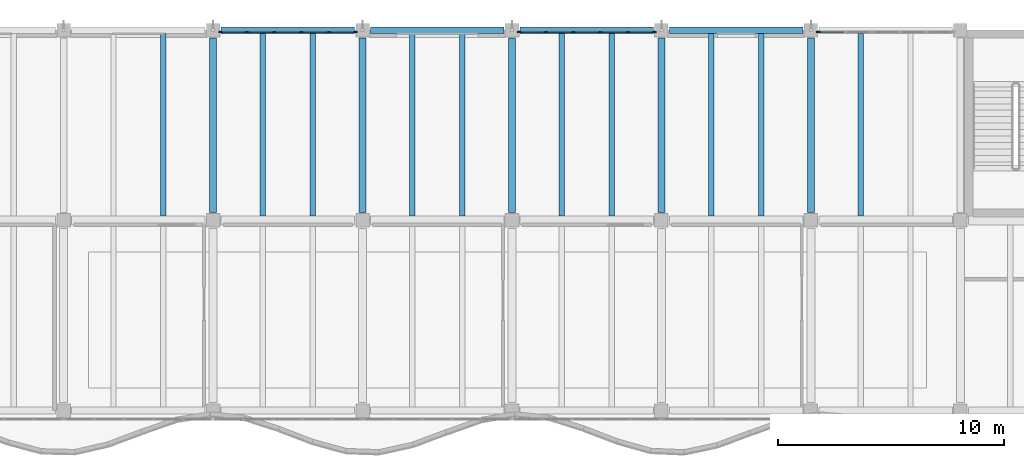
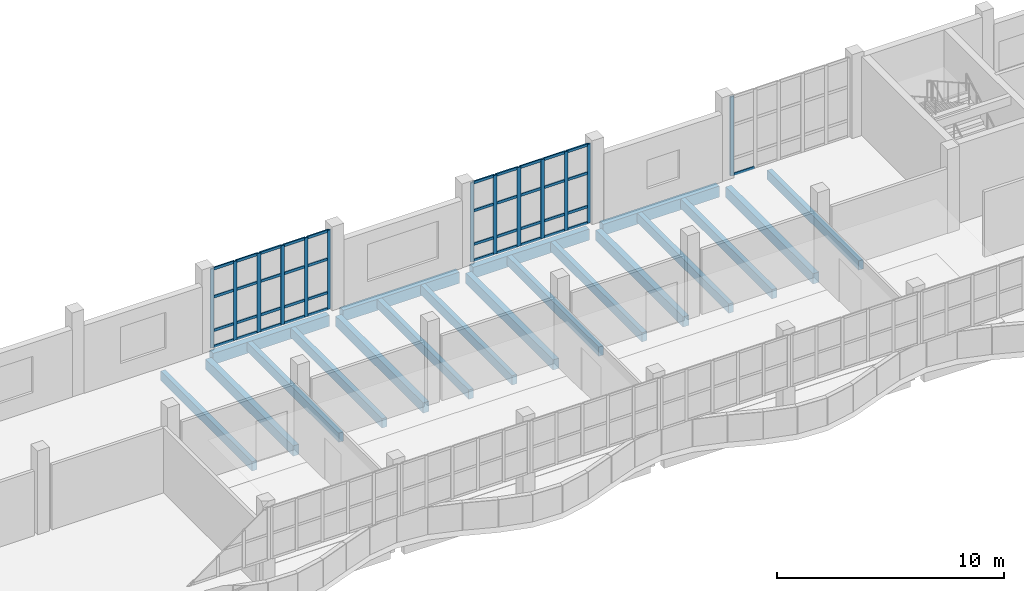
# One storey, part 13 of 76: 54 members, 19 beams, 3 elements without a shape of their own.
"""IFC4 building model written with IfcOpenShell, lengths in metres."""

from ifc_helpers import new_model, si_unit, direction, frame, origin, origin_2d, place, context, subcontext, project, spatial, rectangle, extrude, material, material_profile, profile_set, type_object, element, aggregate, save


model = new_model("IFC4")

# Units and contexts
model_context = context("Model", 3, precision=1e-05, world=origin(), true_north=direction((0.0, 1.0)))
body_context = subcontext(model_context, "Body", "Model", "MODEL_VIEW")
ifc_project = project(units=[si_unit("LENGTHUNIT", "METRE"), si_unit("AREAUNIT", "SQUARE_METRE"), si_unit("VOLUMEUNIT", "CUBIC_METRE"), si_unit("PLANEANGLEUNIT", "RADIAN"), si_unit("MASSUNIT", "GRAM", prefix="KILO")], contexts=[model_context])

# Site, building, storey
site_placement = place(None, origin())
site = spatial("IfcSite", under=ifc_project, at=site_placement, CompositionType="ELEMENT")
building_placement = place(site_placement, origin())
building = spatial("IfcBuilding", under=site, at=building_placement, Name="Qaldarim Faculty of Natural and Applied Sciences", CompositionType="ELEMENT")
storey_placement = place(building_placement, frame((0.0, 0.0, 9.89990234375)))
storey = spatial("IfcBuildingStorey", under=building, at=storey_placement, Name="L02", CompositionType="ELEMENT", Elevation=9.89990234375)

# Beams
ifc_material_1 = material(Name="Concrete C40/50", Category="concrete")
ifc_material_profile_1 = material_profile(ifc_material_1, rectangle(XDim=0.300048828125, YDim=0.550048828125, at=origin_2d()), Name="RC-B300x550")
ifc_profile_set_1 = profile_set([ifc_material_profile_1], Name="Concrete C40/50")
beam_type_1 = type_object("IfcBeamType", Name="FloorBeam-RC300x550", PredefinedType="BEAM", material=ifc_profile_set_1)
for number, where, z_axis, x_axis, name in (
    (1, (66.0, 109.550048828125, -0.574951171875), (0.0, 1.0, 0.0), (-1.0, 0.0, 0.0), "Beam RC-B300x550 L01 X11/Y14-Y15"),
    (2, (72.60009765625, 109.550048828125, -0.574951171875), (0.0, 1.0, 0.0), (-1.0, 0.0, 0.0), "Beam RC-B300x550 L01 X12/Y14-Y15"),
    (3, (79.199951171875, 109.550048828125, -0.574951171875), (0.0, 1.0, 0.0), (-1.0, 0.0, 0.0), "Beam RC-B300x550 L01 X13/Y14-Y15"),
    (4, (85.800048828125, 109.550048828125, -0.574951171875), (0.0, 1.0, 0.0), (-1.0, 0.0, 0.0), "Beam RC-B300x550 L01 X14/Y14-Y15"),
    (5, (92.39990234375, 109.550048828125, -0.574951171875), (0.0, 1.0, 0.0), (-1.0, 0.0, 0.0), "Beam RC-B300x550 L01 X15/Y14-Y15"),
):
    element("IfcBeam", number, at=place(storey_placement, frame(where, z_axis=z_axis, x_axis=x_axis)), inside=storey, type_object=beam_type_1, Name=name, PredefinedType="BEAM", context=body_context, shape_type="SweptSolid", body=[
        extrude(rectangle(XDim=0.300048828125, YDim=0.550048828125, at=origin_2d()), origin(), (0.0, 0.0, 1.0), 7.699951171875),
    ])
ifc_material_profile_2 = material_profile(ifc_material_1, rectangle(XDim=0.239990234375, YDim=0.5, at=origin_2d()), Name="RC-J240x500")
ifc_profile_set_2 = profile_set([ifc_material_profile_2], Name="Concrete C40/50")
beam_type_2 = type_object("IfcBeamType", Name="HeavyJoist-RC240x500", PredefinedType="JOIST", material=ifc_profile_set_2)
for number, where, z_axis, x_axis, name in (
    (6, (63.800048828125, 109.39990234375, -0.5498046875), (0.0, 1.0, 0.0), (-1.0, 0.0, 0.0), "Laboratory joist L01 bay X10Y14-2"),
    (7, (68.199951171875, 109.39990234375, -0.5498046875), (0.0, 1.0, 0.0), (-1.0, 0.0, 0.0), "Laboratory joist L01 bay X11Y14-1"),
    (8, (70.39990234375, 109.39990234375, -0.5498046875), (0.0, 1.0, 0.0), (-1.0, 0.0, 0.0), "Laboratory joist L01 bay X11Y14-2"),
    (9, (74.800048828125, 109.39990234375, -0.5498046875), (0.0, 1.0, 0.0), (-1.0, 0.0, 0.0), "Laboratory joist L01 bay X12Y14-1"),
    (10, (77.0, 109.39990234375, -0.5498046875), (0.0, 1.0, 0.0), (-1.0, 0.0, 0.0), "Laboratory joist L01 bay X12Y14-2"),
    (11, (81.39990234375, 109.39990234375, -0.5498046875), (0.0, 1.0, 0.0), (-1.0, 0.0, 0.0), "Laboratory joist L01 bay X13Y14-1"),
    (12, (83.60009765625, 109.39990234375, -0.5498046875), (0.0, 1.0, 0.0), (-1.0, 0.0, 0.0), "Laboratory joist L01 bay X13Y14-2"),
    (13, (88.0, 109.39990234375, -0.5498046875), (0.0, 1.0, 0.0), (-1.0, 0.0, 0.0), "Laboratory joist L01 bay X14Y14-1"),
    (14, (90.199951171875, 109.39990234375, -0.5498046875), (0.0, 1.0, 0.0), (-1.0, 0.0, 0.0), "Laboratory joist L01 bay X14Y14-2"),
    (15, (94.60009765625, 109.39990234375, -0.5498046875), (0.0, 1.0, 0.0), (-1.0, 0.0, 0.0), "Laboratory joist L01 bay X15Y14-1"),
):
    element("IfcBeam", number, at=place(storey_placement, frame(where, z_axis=z_axis, x_axis=x_axis)), inside=storey, type_object=beam_type_2, Name=name, PredefinedType="JOIST", context=body_context, shape_type="SweptSolid", body=[
        extrude(rectangle(XDim=0.239990234375, YDim=0.5, at=origin_2d()), origin(), (0.0, 0.0, 1.0), 8.050048828125),
    ])

# Curtain wall, members
ifc_material_2 = material(Name="Anodised aluminium AW-6063", Category="aluminium")
curtain_wall_type = type_object("IfcCurtainWallType", Name="CurtainWallSystem-M1200", PredefinedType="USERDEFINED", material=ifc_material_2)
curtain_wall_1_placement = place(storey_placement, origin())
curtain_wall_1 = element("IfcCurtainWall", 16, at=curtain_wall_1_placement, inside=storey, type_object=curtain_wall_type, Name="Curtain wall CW-L02-N-X11Y14", ObjectType="STICK CURTAIN WALL", PredefinedType="USERDEFINED")
ifc_material_profile_3 = material_profile(ifc_material_2, rectangle(XDim=0.070068359375, YDim=0.179931640625, at=origin_2d()), Name="ALU-M70x180")
ifc_profile_set_3 = profile_set([ifc_material_profile_3], Name="Anodised aluminium AW-6063")
member_type_1 = type_object("IfcMemberType", Name="Mullion-ALU70x180", PredefinedType="MULLION", material=ifc_profile_set_3)
member_1_placement = place(storey_placement, frame((72.27001953125, 117.52001953125, 0.0), z_axis=(0.0, 0.0, 1.0), x_axis=(0.0, -1.0, 0.0)))
member_1 = element("IfcMember", 17, at=member_1_placement, type_object=member_type_1, Name="Mullion 1 of CW-L02-N-X11Y14", PredefinedType="MULLION", context=body_context, shape_type="SweptSolid", body=[
    extrude(rectangle(XDim=0.070068359375, YDim=0.179931640625, at=origin_2d()), origin(), (0.0, 0.0, 1.0), 4.239990234375),
])
member_2_placement = place(storey_placement, frame((71.10302734375, 117.52001953125, 0.0), z_axis=(0.0, 0.0, 1.0), x_axis=(0.0, -1.0, 0.0)))
member_2 = element("IfcMember", 18, at=member_2_placement, type_object=member_type_1, Name="Mullion 2 of CW-L02-N-X11Y14", PredefinedType="MULLION", context=body_context, shape_type="SweptSolid", body=[
    extrude(rectangle(XDim=0.070068359375, YDim=0.179931640625, at=origin_2d()), origin(), (0.0, 0.0, 1.0), 4.239990234375),
])
member_3_placement = place(storey_placement, frame((69.90087890625, 117.52001953125, 0.0), z_axis=(0.0, 0.0, 1.0), x_axis=(0.0, -1.0, 0.0)))
member_3 = element("IfcMember", 19, at=member_3_placement, type_object=member_type_1, Name="Mullion 3 of CW-L02-N-X11Y14", PredefinedType="MULLION", context=body_context, shape_type="SweptSolid", body=[
    extrude(rectangle(XDim=0.070068359375, YDim=0.179931640625, at=origin_2d()), origin(), (0.0, 0.0, 1.0), 4.239990234375),
])
member_4_placement = place(storey_placement, frame((68.698974609375, 117.52001953125, 0.0), z_axis=(0.0, 0.0, 1.0), x_axis=(0.0, -1.0, 0.0)))
member_4 = element("IfcMember", 20, at=member_4_placement, type_object=member_type_1, Name="Mullion 4 of CW-L02-N-X11Y14", PredefinedType="MULLION", context=body_context, shape_type="SweptSolid", body=[
    extrude(rectangle(XDim=0.070068359375, YDim=0.179931640625, at=origin_2d()), origin(), (0.0, 0.0, 1.0), 4.239990234375),
])
member_5_placement = place(storey_placement, frame((67.4970703125, 117.52001953125, 0.0), z_axis=(0.0, 0.0, 1.0), x_axis=(0.0, -1.0, 0.0)))
member_5 = element("IfcMember", 21, at=member_5_placement, type_object=member_type_1, Name="Mullion 5 of CW-L02-N-X11Y14", PredefinedType="MULLION", context=body_context, shape_type="SweptSolid", body=[
    extrude(rectangle(XDim=0.070068359375, YDim=0.179931640625, at=origin_2d()), origin(), (0.0, 0.0, 1.0), 4.239990234375),
])
member_6_placement = place(storey_placement, frame((66.330078125, 117.52001953125, 0.0), z_axis=(0.0, 0.0, 1.0), x_axis=(0.0, -1.0, 0.0)))
member_6 = element("IfcMember", 22, at=member_6_placement, type_object=member_type_1, Name="Mullion 6 of CW-L02-N-X11Y14", PredefinedType="MULLION", context=body_context, shape_type="SweptSolid", body=[
    extrude(rectangle(XDim=0.070068359375, YDim=0.179931640625, at=origin_2d()), origin(), (0.0, 0.0, 1.0), 4.239990234375),
])

curtain_wall_2_placement = place(storey_placement, origin())
curtain_wall_2 = element("IfcCurtainWall", 23, at=curtain_wall_2_placement, inside=storey, type_object=curtain_wall_type, Name="Curtain wall CW-L02-N-X13Y14", ObjectType="STICK CURTAIN WALL", PredefinedType="USERDEFINED")
member_7_placement = place(storey_placement, frame((85.469970703125, 117.52001953125, 0.0), z_axis=(0.0, 0.0, 1.0), x_axis=(0.0, -1.0, 0.0)))
member_7 = element("IfcMember", 24, at=member_7_placement, type_object=member_type_1, Name="Mullion 1 of CW-L02-N-X13Y14", PredefinedType="MULLION", context=body_context, shape_type="SweptSolid", body=[
    extrude(rectangle(XDim=0.070068359375, YDim=0.179931640625, at=origin_2d()), origin(), (0.0, 0.0, 1.0), 4.239990234375),
])
member_8_placement = place(storey_placement, frame((84.302978515625, 117.52001953125, 0.0), z_axis=(0.0, 0.0, 1.0), x_axis=(0.0, -1.0, 0.0)))
member_8 = element("IfcMember", 25, at=member_8_placement, type_object=member_type_1, Name="Mullion 2 of CW-L02-N-X13Y14", PredefinedType="MULLION", context=body_context, shape_type="SweptSolid", body=[
    extrude(rectangle(XDim=0.070068359375, YDim=0.179931640625, at=origin_2d()), origin(), (0.0, 0.0, 1.0), 4.239990234375),
])
member_9_placement = place(storey_placement, frame((83.10107421875, 117.52001953125, 0.0), z_axis=(0.0, 0.0, 1.0), x_axis=(0.0, -1.0, 0.0)))
member_9 = element("IfcMember", 26, at=member_9_placement, type_object=member_type_1, Name="Mullion 3 of CW-L02-N-X13Y14", PredefinedType="MULLION", context=body_context, shape_type="SweptSolid", body=[
    extrude(rectangle(XDim=0.070068359375, YDim=0.179931640625, at=origin_2d()), origin(), (0.0, 0.0, 1.0), 4.239990234375),
])
member_10_placement = place(storey_placement, frame((81.89892578125, 117.52001953125, 0.0), z_axis=(0.0, 0.0, 1.0), x_axis=(0.0, -1.0, 0.0)))
member_10 = element("IfcMember", 27, at=member_10_placement, type_object=member_type_1, Name="Mullion 4 of CW-L02-N-X13Y14", PredefinedType="MULLION", context=body_context, shape_type="SweptSolid", body=[
    extrude(rectangle(XDim=0.070068359375, YDim=0.179931640625, at=origin_2d()), origin(), (0.0, 0.0, 1.0), 4.239990234375),
])
member_11_placement = place(storey_placement, frame((80.697021484375, 117.52001953125, 0.0), z_axis=(0.0, 0.0, 1.0), x_axis=(0.0, -1.0, 0.0)))
member_11 = element("IfcMember", 28, at=member_11_placement, type_object=member_type_1, Name="Mullion 5 of CW-L02-N-X13Y14", PredefinedType="MULLION", context=body_context, shape_type="SweptSolid", body=[
    extrude(rectangle(XDim=0.070068359375, YDim=0.179931640625, at=origin_2d()), origin(), (0.0, 0.0, 1.0), 4.239990234375),
])
member_12_placement = place(storey_placement, frame((79.530029296875, 117.52001953125, 0.0), z_axis=(0.0, 0.0, 1.0), x_axis=(0.0, -1.0, 0.0)))
member_12 = element("IfcMember", 29, at=member_12_placement, type_object=member_type_1, Name="Mullion 6 of CW-L02-N-X13Y14", PredefinedType="MULLION", context=body_context, shape_type="SweptSolid", body=[
    extrude(rectangle(XDim=0.070068359375, YDim=0.179931640625, at=origin_2d()), origin(), (0.0, 0.0, 1.0), 4.239990234375),
])

# Curtain wall, member
curtain_wall_3_placement = place(storey_placement, origin())
curtain_wall_3 = element("IfcCurtainWall", 30, at=curtain_wall_3_placement, inside=storey, type_object=curtain_wall_type, Name="Curtain wall CW-L02-N-X15Y14", ObjectType="STICK CURTAIN WALL", PredefinedType="USERDEFINED")
member_13_placement = place(storey_placement, frame((92.72998046875, 117.52001953125, 0.0), z_axis=(0.0, 0.0, 1.0), x_axis=(0.0, -1.0, 0.0)))
member_13 = element("IfcMember", 31, at=member_13_placement, type_object=member_type_1, Name="Mullion 6 of CW-L02-N-X15Y14", PredefinedType="MULLION", context=body_context, shape_type="SweptSolid", body=[
    extrude(rectangle(XDim=0.070068359375, YDim=0.179931640625, at=origin_2d()), origin(), (0.0, 0.0, 1.0), 4.239990234375),
])

# Beams
ifc_material_3 = material(Name="Precast concrete C40/50", Category="concrete")
ifc_material_profile_4 = material_profile(ifc_material_3, rectangle(XDim=0.300048828125, YDim=0.60009765625, at=origin_2d()), Name="RC-SP300x600")
ifc_profile_set_4 = profile_set([ifc_material_profile_4], Name="Precast concrete C40/50")
beam_type_3 = type_object("IfcBeamType", Name="SpandrelBeam-RC300x600", PredefinedType="SPANDREL", material=ifc_profile_set_4)
beam_1_placement = place(storey_placement, frame((66.35009765625, 117.60009765625, -0.599853515625), z_axis=(1.0, 0.0, 0.0), x_axis=(0.0, 1.0, 0.0)))
element("IfcBeam", 32, at=beam_1_placement, inside=storey, type_object=beam_type_3, Name="Beam RC-SP300x600 L01 X11-X12/Y15", PredefinedType="SPANDREL", context=body_context, shape_type="SweptSolid", body=[
    extrude(rectangle(XDim=0.300048828125, YDim=0.60009765625, at=origin_2d()), origin(), (0.0, 0.0, 1.0), 5.89990234375),
])
beam_2_placement = place(storey_placement, frame((72.949951171875, 117.60009765625, -0.599853515625), z_axis=(1.0, 0.0, 0.0), x_axis=(0.0, 1.0, 0.0)))
element("IfcBeam", 33, at=beam_2_placement, inside=storey, type_object=beam_type_3, Name="Beam RC-SP300x600 L01 X12-X13/Y15", PredefinedType="SPANDREL", context=body_context, shape_type="SweptSolid", body=[
    extrude(rectangle(XDim=0.300048828125, YDim=0.60009765625, at=origin_2d()), origin(), (0.0, 0.0, 1.0), 5.900146484375),
])
beam_3_placement = place(storey_placement, frame((79.550048828125, 117.60009765625, -0.599853515625), z_axis=(1.0, 0.0, 0.0), x_axis=(0.0, 1.0, 0.0)))
element("IfcBeam", 34, at=beam_3_placement, inside=storey, type_object=beam_type_3, Name="Beam RC-SP300x600 L01 X13-X14/Y15", PredefinedType="SPANDREL", context=body_context, shape_type="SweptSolid", body=[
    extrude(rectangle(XDim=0.300048828125, YDim=0.60009765625, at=origin_2d()), origin(), (0.0, 0.0, 1.0), 5.89990234375),
])
beam_4_placement = place(storey_placement, frame((86.14990234375, 117.60009765625, -0.599853515625), z_axis=(1.0, 0.0, 0.0), x_axis=(0.0, 1.0, 0.0)))
element("IfcBeam", 35, at=beam_4_placement, inside=storey, type_object=beam_type_3, Name="Beam RC-SP300x600 L01 X14-X15/Y15", PredefinedType="SPANDREL", context=body_context, shape_type="SweptSolid", body=[
    extrude(rectangle(XDim=0.300048828125, YDim=0.60009765625, at=origin_2d()), origin(), (0.0, 0.0, 1.0), 5.900146484375),
])

# Member
ifc_material_profile_5 = material_profile(ifc_material_2, rectangle(XDim=0.070068359375, YDim=0.139892578125, at=origin_2d()), Name="ALU-T70x140")
ifc_profile_set_5 = profile_set([ifc_material_profile_5], Name="Anodised aluminium AW-6063")
member_type_2 = type_object("IfcMemberType", Name="Transom-ALU70x140", PredefinedType="USERDEFINED", material=ifc_profile_set_5)
member_14_placement = place(storey_placement, frame((72.235107421875, 117.52001953125, 0.03515625), z_axis=(-1.0, 0.0, 0.0), x_axis=(0.0, -1.0, 0.0)))
member_14 = element("IfcMember", 36, at=member_14_placement, type_object=member_type_2, Name="Transom 1-1 of CW-L02-N-X11Y14", ObjectType="TRANSOM", PredefinedType="USERDEFINED", context=body_context, shape_type="SweptSolid", body=[
    extrude(rectangle(XDim=0.070068359375, YDim=0.139892578125, at=origin_2d()), origin(), (0.0, 0.0, 1.0), 1.09716796875),
])

member_15_placement = place(storey_placement, frame((72.235107421875, 117.52001953125, 0.900146484375), z_axis=(-1.0, 0.0, 0.0), x_axis=(0.0, -1.0, 0.0)))
member_15 = element("IfcMember", 37, at=member_15_placement, type_object=member_type_2, Name="Transom 1-2 of CW-L02-N-X11Y14", ObjectType="TRANSOM", PredefinedType="USERDEFINED", context=body_context, shape_type="SweptSolid", body=[
    extrude(rectangle(XDim=0.070068359375, YDim=0.139892578125, at=origin_2d()), origin(), (0.0, 0.0, 1.0), 1.09716796875),
])

member_16_placement = place(storey_placement, frame((72.235107421875, 117.52001953125, 2.7001953125), z_axis=(-1.0, 0.0, 0.0), x_axis=(0.0, -1.0, 0.0)))
member_16 = element("IfcMember", 38, at=member_16_placement, type_object=member_type_2, Name="Transom 1-3 of CW-L02-N-X11Y14", ObjectType="TRANSOM", PredefinedType="USERDEFINED", context=body_context, shape_type="SweptSolid", body=[
    extrude(rectangle(XDim=0.070068359375, YDim=0.139892578125, at=origin_2d()), origin(), (0.0, 0.0, 1.0), 1.09716796875),
])

member_17_placement = place(storey_placement, frame((72.235107421875, 117.52001953125, 4.205078125), z_axis=(-1.0, 0.0, 0.0), x_axis=(0.0, -1.0, 0.0)))
member_17 = element("IfcMember", 39, at=member_17_placement, type_object=member_type_2, Name="Transom 1-4 of CW-L02-N-X11Y14", ObjectType="TRANSOM", PredefinedType="USERDEFINED", context=body_context, shape_type="SweptSolid", body=[
    extrude(rectangle(XDim=0.070068359375, YDim=0.139892578125, at=origin_2d()), origin(), (0.0, 0.0, 1.0), 1.09716796875),
])

member_18_placement = place(storey_placement, frame((71.068115234375, 117.52001953125, 0.03515625), z_axis=(-1.0, 0.0, 0.0), x_axis=(0.0, -1.0, 0.0)))
member_18 = element("IfcMember", 40, at=member_18_placement, type_object=member_type_2, Name="Transom 2-1 of CW-L02-N-X11Y14", ObjectType="TRANSOM", PredefinedType="USERDEFINED", context=body_context, shape_type="SweptSolid", body=[
    extrude(rectangle(XDim=0.070068359375, YDim=0.139892578125, at=origin_2d()), origin(), (0.0, 0.0, 1.0), 1.132080078125),
])

member_19_placement = place(storey_placement, frame((71.068115234375, 117.52001953125, 0.900146484375), z_axis=(-1.0, 0.0, 0.0), x_axis=(0.0, -1.0, 0.0)))
member_19 = element("IfcMember", 41, at=member_19_placement, type_object=member_type_2, Name="Transom 2-2 of CW-L02-N-X11Y14", ObjectType="TRANSOM", PredefinedType="USERDEFINED", context=body_context, shape_type="SweptSolid", body=[
    extrude(rectangle(XDim=0.070068359375, YDim=0.139892578125, at=origin_2d()), origin(), (0.0, 0.0, 1.0), 1.132080078125),
])

member_20_placement = place(storey_placement, frame((71.068115234375, 117.52001953125, 2.7001953125), z_axis=(-1.0, 0.0, 0.0), x_axis=(0.0, -1.0, 0.0)))
member_20 = element("IfcMember", 42, at=member_20_placement, type_object=member_type_2, Name="Transom 2-3 of CW-L02-N-X11Y14", ObjectType="TRANSOM", PredefinedType="USERDEFINED", context=body_context, shape_type="SweptSolid", body=[
    extrude(rectangle(XDim=0.070068359375, YDim=0.139892578125, at=origin_2d()), origin(), (0.0, 0.0, 1.0), 1.132080078125),
])

member_21_placement = place(storey_placement, frame((71.068115234375, 117.52001953125, 4.205078125), z_axis=(-1.0, 0.0, 0.0), x_axis=(0.0, -1.0, 0.0)))
member_21 = element("IfcMember", 43, at=member_21_placement, type_object=member_type_2, Name="Transom 2-4 of CW-L02-N-X11Y14", ObjectType="TRANSOM", PredefinedType="USERDEFINED", context=body_context, shape_type="SweptSolid", body=[
    extrude(rectangle(XDim=0.070068359375, YDim=0.139892578125, at=origin_2d()), origin(), (0.0, 0.0, 1.0), 1.132080078125),
])

member_22_placement = place(storey_placement, frame((69.865966796875, 117.52001953125, 0.03515625), z_axis=(-1.0, 0.0, 0.0), x_axis=(0.0, -1.0, 0.0)))
member_22 = element("IfcMember", 44, at=member_22_placement, type_object=member_type_2, Name="Transom 3-1 of CW-L02-N-X11Y14", ObjectType="TRANSOM", PredefinedType="USERDEFINED", context=body_context, shape_type="SweptSolid", body=[
    extrude(rectangle(XDim=0.070068359375, YDim=0.139892578125, at=origin_2d()), origin(), (0.0, 0.0, 1.0), 1.132080078125),
])

member_23_placement = place(storey_placement, frame((69.865966796875, 117.52001953125, 0.900146484375), z_axis=(-1.0, 0.0, 0.0), x_axis=(0.0, -1.0, 0.0)))
member_23 = element("IfcMember", 45, at=member_23_placement, type_object=member_type_2, Name="Transom 3-2 of CW-L02-N-X11Y14", ObjectType="TRANSOM", PredefinedType="USERDEFINED", context=body_context, shape_type="SweptSolid", body=[
    extrude(rectangle(XDim=0.070068359375, YDim=0.139892578125, at=origin_2d()), origin(), (0.0, 0.0, 1.0), 1.132080078125),
])

member_24_placement = place(storey_placement, frame((69.865966796875, 117.52001953125, 2.7001953125), z_axis=(-1.0, 0.0, 0.0), x_axis=(0.0, -1.0, 0.0)))
member_24 = element("IfcMember", 46, at=member_24_placement, type_object=member_type_2, Name="Transom 3-3 of CW-L02-N-X11Y14", ObjectType="TRANSOM", PredefinedType="USERDEFINED", context=body_context, shape_type="SweptSolid", body=[
    extrude(rectangle(XDim=0.070068359375, YDim=0.139892578125, at=origin_2d()), origin(), (0.0, 0.0, 1.0), 1.132080078125),
])

member_25_placement = place(storey_placement, frame((69.865966796875, 117.52001953125, 4.205078125), z_axis=(-1.0, 0.0, 0.0), x_axis=(0.0, -1.0, 0.0)))
member_25 = element("IfcMember", 47, at=member_25_placement, type_object=member_type_2, Name="Transom 3-4 of CW-L02-N-X11Y14", ObjectType="TRANSOM", PredefinedType="USERDEFINED", context=body_context, shape_type="SweptSolid", body=[
    extrude(rectangle(XDim=0.070068359375, YDim=0.139892578125, at=origin_2d()), origin(), (0.0, 0.0, 1.0), 1.132080078125),
])

member_26_placement = place(storey_placement, frame((68.6640625, 117.52001953125, 0.03515625), z_axis=(-1.0, 0.0, 0.0), x_axis=(0.0, -1.0, 0.0)))
member_26 = element("IfcMember", 48, at=member_26_placement, type_object=member_type_2, Name="Transom 4-1 of CW-L02-N-X11Y14", ObjectType="TRANSOM", PredefinedType="USERDEFINED", context=body_context, shape_type="SweptSolid", body=[
    extrude(rectangle(XDim=0.070068359375, YDim=0.139892578125, at=origin_2d()), origin(), (0.0, 0.0, 1.0), 1.132080078125),
])

member_27_placement = place(storey_placement, frame((68.6640625, 117.52001953125, 0.900146484375), z_axis=(-1.0, 0.0, 0.0), x_axis=(0.0, -1.0, 0.0)))
member_27 = element("IfcMember", 49, at=member_27_placement, type_object=member_type_2, Name="Transom 4-2 of CW-L02-N-X11Y14", ObjectType="TRANSOM", PredefinedType="USERDEFINED", context=body_context, shape_type="SweptSolid", body=[
    extrude(rectangle(XDim=0.070068359375, YDim=0.139892578125, at=origin_2d()), origin(), (0.0, 0.0, 1.0), 1.132080078125),
])

member_28_placement = place(storey_placement, frame((68.6640625, 117.52001953125, 2.7001953125), z_axis=(-1.0, 0.0, 0.0), x_axis=(0.0, -1.0, 0.0)))
member_28 = element("IfcMember", 50, at=member_28_placement, type_object=member_type_2, Name="Transom 4-3 of CW-L02-N-X11Y14", ObjectType="TRANSOM", PredefinedType="USERDEFINED", context=body_context, shape_type="SweptSolid", body=[
    extrude(rectangle(XDim=0.070068359375, YDim=0.139892578125, at=origin_2d()), origin(), (0.0, 0.0, 1.0), 1.132080078125),
])

member_29_placement = place(storey_placement, frame((68.6640625, 117.52001953125, 4.205078125), z_axis=(-1.0, 0.0, 0.0), x_axis=(0.0, -1.0, 0.0)))
member_29 = element("IfcMember", 51, at=member_29_placement, type_object=member_type_2, Name="Transom 4-4 of CW-L02-N-X11Y14", ObjectType="TRANSOM", PredefinedType="USERDEFINED", context=body_context, shape_type="SweptSolid", body=[
    extrude(rectangle(XDim=0.070068359375, YDim=0.139892578125, at=origin_2d()), origin(), (0.0, 0.0, 1.0), 1.132080078125),
])

member_30_placement = place(storey_placement, frame((67.4619140625, 117.52001953125, 0.03515625), z_axis=(-1.0, 0.0, 0.0), x_axis=(0.0, -1.0, 0.0)))
member_30 = element("IfcMember", 52, at=member_30_placement, type_object=member_type_2, Name="Transom 5-1 of CW-L02-N-X11Y14", ObjectType="TRANSOM", PredefinedType="USERDEFINED", context=body_context, shape_type="SweptSolid", body=[
    extrude(rectangle(XDim=0.070068359375, YDim=0.139892578125, at=origin_2d()), origin(), (0.0, 0.0, 1.0), 1.096923828125),
])

member_31_placement = place(storey_placement, frame((67.4619140625, 117.52001953125, 0.900146484375), z_axis=(-1.0, 0.0, 0.0), x_axis=(0.0, -1.0, 0.0)))
member_31 = element("IfcMember", 53, at=member_31_placement, type_object=member_type_2, Name="Transom 5-2 of CW-L02-N-X11Y14", ObjectType="TRANSOM", PredefinedType="USERDEFINED", context=body_context, shape_type="SweptSolid", body=[
    extrude(rectangle(XDim=0.070068359375, YDim=0.139892578125, at=origin_2d()), origin(), (0.0, 0.0, 1.0), 1.096923828125),
])

member_32_placement = place(storey_placement, frame((67.4619140625, 117.52001953125, 2.7001953125), z_axis=(-1.0, 0.0, 0.0), x_axis=(0.0, -1.0, 0.0)))
member_32 = element("IfcMember", 54, at=member_32_placement, type_object=member_type_2, Name="Transom 5-3 of CW-L02-N-X11Y14", ObjectType="TRANSOM", PredefinedType="USERDEFINED", context=body_context, shape_type="SweptSolid", body=[
    extrude(rectangle(XDim=0.070068359375, YDim=0.139892578125, at=origin_2d()), origin(), (0.0, 0.0, 1.0), 1.096923828125),
])

member_33_placement = place(storey_placement, frame((67.4619140625, 117.52001953125, 4.205078125), z_axis=(-1.0, 0.0, 0.0), x_axis=(0.0, -1.0, 0.0)))
member_33 = element("IfcMember", 55, at=member_33_placement, type_object=member_type_2, Name="Transom 5-4 of CW-L02-N-X11Y14", ObjectType="TRANSOM", PredefinedType="USERDEFINED", context=body_context, shape_type="SweptSolid", body=[
    extrude(rectangle(XDim=0.070068359375, YDim=0.139892578125, at=origin_2d()), origin(), (0.0, 0.0, 1.0), 1.096923828125),
])

aggregate(curtain_wall_1, [member_1, member_2, member_3, member_4, member_5, member_6, member_14, member_15, member_16, member_17, member_18, member_19, member_20, member_21, member_22, member_23, member_24, member_25, member_26, member_27, member_28, member_29, member_30, member_31, member_32, member_33])

member_34_placement = place(storey_placement, frame((85.43505859375, 117.52001953125, 0.03515625), z_axis=(-1.0, 0.0, 0.0), x_axis=(0.0, -1.0, 0.0)))
member_34 = element("IfcMember", 56, at=member_34_placement, type_object=member_type_2, Name="Transom 1-1 of CW-L02-N-X13Y14", ObjectType="TRANSOM", PredefinedType="USERDEFINED", context=body_context, shape_type="SweptSolid", body=[
    extrude(rectangle(XDim=0.070068359375, YDim=0.139892578125, at=origin_2d()), origin(), (0.0, 0.0, 1.0), 1.09716796875),
])

member_35_placement = place(storey_placement, frame((85.43505859375, 117.52001953125, 0.900146484375), z_axis=(-1.0, 0.0, 0.0), x_axis=(0.0, -1.0, 0.0)))
member_35 = element("IfcMember", 57, at=member_35_placement, type_object=member_type_2, Name="Transom 1-2 of CW-L02-N-X13Y14", ObjectType="TRANSOM", PredefinedType="USERDEFINED", context=body_context, shape_type="SweptSolid", body=[
    extrude(rectangle(XDim=0.070068359375, YDim=0.139892578125, at=origin_2d()), origin(), (0.0, 0.0, 1.0), 1.09716796875),
])

member_36_placement = place(storey_placement, frame((85.43505859375, 117.52001953125, 2.7001953125), z_axis=(-1.0, 0.0, 0.0), x_axis=(0.0, -1.0, 0.0)))
member_36 = element("IfcMember", 58, at=member_36_placement, type_object=member_type_2, Name="Transom 1-3 of CW-L02-N-X13Y14", ObjectType="TRANSOM", PredefinedType="USERDEFINED", context=body_context, shape_type="SweptSolid", body=[
    extrude(rectangle(XDim=0.070068359375, YDim=0.139892578125, at=origin_2d()), origin(), (0.0, 0.0, 1.0), 1.09716796875),
])

member_37_placement = place(storey_placement, frame((85.43505859375, 117.52001953125, 4.205078125), z_axis=(-1.0, 0.0, 0.0), x_axis=(0.0, -1.0, 0.0)))
member_37 = element("IfcMember", 59, at=member_37_placement, type_object=member_type_2, Name="Transom 1-4 of CW-L02-N-X13Y14", ObjectType="TRANSOM", PredefinedType="USERDEFINED", context=body_context, shape_type="SweptSolid", body=[
    extrude(rectangle(XDim=0.070068359375, YDim=0.139892578125, at=origin_2d()), origin(), (0.0, 0.0, 1.0), 1.09716796875),
])

member_38_placement = place(storey_placement, frame((84.26806640625, 117.52001953125, 0.03515625), z_axis=(-1.0, 0.0, 0.0), x_axis=(0.0, -1.0, 0.0)))
member_38 = element("IfcMember", 60, at=member_38_placement, type_object=member_type_2, Name="Transom 2-1 of CW-L02-N-X13Y14", ObjectType="TRANSOM", PredefinedType="USERDEFINED", context=body_context, shape_type="SweptSolid", body=[
    extrude(rectangle(XDim=0.070068359375, YDim=0.139892578125, at=origin_2d()), origin(), (0.0, 0.0, 1.0), 1.132080078125),
])

member_39_placement = place(storey_placement, frame((84.26806640625, 117.52001953125, 0.900146484375), z_axis=(-1.0, 0.0, 0.0), x_axis=(0.0, -1.0, 0.0)))
member_39 = element("IfcMember", 61, at=member_39_placement, type_object=member_type_2, Name="Transom 2-2 of CW-L02-N-X13Y14", ObjectType="TRANSOM", PredefinedType="USERDEFINED", context=body_context, shape_type="SweptSolid", body=[
    extrude(rectangle(XDim=0.070068359375, YDim=0.139892578125, at=origin_2d()), origin(), (0.0, 0.0, 1.0), 1.132080078125),
])

member_40_placement = place(storey_placement, frame((84.26806640625, 117.52001953125, 2.7001953125), z_axis=(-1.0, 0.0, 0.0), x_axis=(0.0, -1.0, 0.0)))
member_40 = element("IfcMember", 62, at=member_40_placement, type_object=member_type_2, Name="Transom 2-3 of CW-L02-N-X13Y14", ObjectType="TRANSOM", PredefinedType="USERDEFINED", context=body_context, shape_type="SweptSolid", body=[
    extrude(rectangle(XDim=0.070068359375, YDim=0.139892578125, at=origin_2d()), origin(), (0.0, 0.0, 1.0), 1.132080078125),
])

member_41_placement = place(storey_placement, frame((84.26806640625, 117.52001953125, 4.205078125), z_axis=(-1.0, 0.0, 0.0), x_axis=(0.0, -1.0, 0.0)))
member_41 = element("IfcMember", 63, at=member_41_placement, type_object=member_type_2, Name="Transom 2-4 of CW-L02-N-X13Y14", ObjectType="TRANSOM", PredefinedType="USERDEFINED", context=body_context, shape_type="SweptSolid", body=[
    extrude(rectangle(XDim=0.070068359375, YDim=0.139892578125, at=origin_2d()), origin(), (0.0, 0.0, 1.0), 1.132080078125),
])

member_42_placement = place(storey_placement, frame((83.06591796875, 117.52001953125, 0.03515625), z_axis=(-1.0, 0.0, 0.0), x_axis=(0.0, -1.0, 0.0)))
member_42 = element("IfcMember", 64, at=member_42_placement, type_object=member_type_2, Name="Transom 3-1 of CW-L02-N-X13Y14", ObjectType="TRANSOM", PredefinedType="USERDEFINED", context=body_context, shape_type="SweptSolid", body=[
    extrude(rectangle(XDim=0.070068359375, YDim=0.139892578125, at=origin_2d()), origin(), (0.0, 0.0, 1.0), 1.1318359375),
])

member_43_placement = place(storey_placement, frame((83.06591796875, 117.52001953125, 0.900146484375), z_axis=(-1.0, 0.0, 0.0), x_axis=(0.0, -1.0, 0.0)))
member_43 = element("IfcMember", 65, at=member_43_placement, type_object=member_type_2, Name="Transom 3-2 of CW-L02-N-X13Y14", ObjectType="TRANSOM", PredefinedType="USERDEFINED", context=body_context, shape_type="SweptSolid", body=[
    extrude(rectangle(XDim=0.070068359375, YDim=0.139892578125, at=origin_2d()), origin(), (0.0, 0.0, 1.0), 1.1318359375),
])

member_44_placement = place(storey_placement, frame((83.06591796875, 117.52001953125, 2.7001953125), z_axis=(-1.0, 0.0, 0.0), x_axis=(0.0, -1.0, 0.0)))
member_44 = element("IfcMember", 66, at=member_44_placement, type_object=member_type_2, Name="Transom 3-3 of CW-L02-N-X13Y14", ObjectType="TRANSOM", PredefinedType="USERDEFINED", context=body_context, shape_type="SweptSolid", body=[
    extrude(rectangle(XDim=0.070068359375, YDim=0.139892578125, at=origin_2d()), origin(), (0.0, 0.0, 1.0), 1.1318359375),
])

member_45_placement = place(storey_placement, frame((83.06591796875, 117.52001953125, 4.205078125), z_axis=(-1.0, 0.0, 0.0), x_axis=(0.0, -1.0, 0.0)))
member_45 = element("IfcMember", 67, at=member_45_placement, type_object=member_type_2, Name="Transom 3-4 of CW-L02-N-X13Y14", ObjectType="TRANSOM", PredefinedType="USERDEFINED", context=body_context, shape_type="SweptSolid", body=[
    extrude(rectangle(XDim=0.070068359375, YDim=0.139892578125, at=origin_2d()), origin(), (0.0, 0.0, 1.0), 1.1318359375),
])

member_46_placement = place(storey_placement, frame((81.864013671875, 117.52001953125, 0.03515625), z_axis=(-1.0, 0.0, 0.0), x_axis=(0.0, -1.0, 0.0)))
member_46 = element("IfcMember", 68, at=member_46_placement, type_object=member_type_2, Name="Transom 4-1 of CW-L02-N-X13Y14", ObjectType="TRANSOM", PredefinedType="USERDEFINED", context=body_context, shape_type="SweptSolid", body=[
    extrude(rectangle(XDim=0.070068359375, YDim=0.139892578125, at=origin_2d()), origin(), (0.0, 0.0, 1.0), 1.132080078125),
])

member_47_placement = place(storey_placement, frame((81.864013671875, 117.52001953125, 0.900146484375), z_axis=(-1.0, 0.0, 0.0), x_axis=(0.0, -1.0, 0.0)))
member_47 = element("IfcMember", 69, at=member_47_placement, type_object=member_type_2, Name="Transom 4-2 of CW-L02-N-X13Y14", ObjectType="TRANSOM", PredefinedType="USERDEFINED", context=body_context, shape_type="SweptSolid", body=[
    extrude(rectangle(XDim=0.070068359375, YDim=0.139892578125, at=origin_2d()), origin(), (0.0, 0.0, 1.0), 1.132080078125),
])

member_48_placement = place(storey_placement, frame((81.864013671875, 117.52001953125, 2.7001953125), z_axis=(-1.0, 0.0, 0.0), x_axis=(0.0, -1.0, 0.0)))
member_48 = element("IfcMember", 70, at=member_48_placement, type_object=member_type_2, Name="Transom 4-3 of CW-L02-N-X13Y14", ObjectType="TRANSOM", PredefinedType="USERDEFINED", context=body_context, shape_type="SweptSolid", body=[
    extrude(rectangle(XDim=0.070068359375, YDim=0.139892578125, at=origin_2d()), origin(), (0.0, 0.0, 1.0), 1.132080078125),
])

member_49_placement = place(storey_placement, frame((81.864013671875, 117.52001953125, 4.205078125), z_axis=(-1.0, 0.0, 0.0), x_axis=(0.0, -1.0, 0.0)))
member_49 = element("IfcMember", 71, at=member_49_placement, type_object=member_type_2, Name="Transom 4-4 of CW-L02-N-X13Y14", ObjectType="TRANSOM", PredefinedType="USERDEFINED", context=body_context, shape_type="SweptSolid", body=[
    extrude(rectangle(XDim=0.070068359375, YDim=0.139892578125, at=origin_2d()), origin(), (0.0, 0.0, 1.0), 1.132080078125),
])

member_50_placement = place(storey_placement, frame((80.662109375, 117.52001953125, 0.03515625), z_axis=(-1.0, 0.0, 0.0), x_axis=(0.0, -1.0, 0.0)))
member_50 = element("IfcMember", 72, at=member_50_placement, type_object=member_type_2, Name="Transom 5-1 of CW-L02-N-X13Y14", ObjectType="TRANSOM", PredefinedType="USERDEFINED", context=body_context, shape_type="SweptSolid", body=[
    extrude(rectangle(XDim=0.070068359375, YDim=0.139892578125, at=origin_2d()), origin(), (0.0, 0.0, 1.0), 1.09716796875),
])

member_51_placement = place(storey_placement, frame((80.662109375, 117.52001953125, 0.900146484375), z_axis=(-1.0, 0.0, 0.0), x_axis=(0.0, -1.0, 0.0)))
member_51 = element("IfcMember", 73, at=member_51_placement, type_object=member_type_2, Name="Transom 5-2 of CW-L02-N-X13Y14", ObjectType="TRANSOM", PredefinedType="USERDEFINED", context=body_context, shape_type="SweptSolid", body=[
    extrude(rectangle(XDim=0.070068359375, YDim=0.139892578125, at=origin_2d()), origin(), (0.0, 0.0, 1.0), 1.09716796875),
])

member_52_placement = place(storey_placement, frame((80.662109375, 117.52001953125, 2.7001953125), z_axis=(-1.0, 0.0, 0.0), x_axis=(0.0, -1.0, 0.0)))
member_52 = element("IfcMember", 74, at=member_52_placement, type_object=member_type_2, Name="Transom 5-3 of CW-L02-N-X13Y14", ObjectType="TRANSOM", PredefinedType="USERDEFINED", context=body_context, shape_type="SweptSolid", body=[
    extrude(rectangle(XDim=0.070068359375, YDim=0.139892578125, at=origin_2d()), origin(), (0.0, 0.0, 1.0), 1.09716796875),
])

member_53_placement = place(storey_placement, frame((80.662109375, 117.52001953125, 4.205078125), z_axis=(-1.0, 0.0, 0.0), x_axis=(0.0, -1.0, 0.0)))
member_53 = element("IfcMember", 75, at=member_53_placement, type_object=member_type_2, Name="Transom 5-4 of CW-L02-N-X13Y14", ObjectType="TRANSOM", PredefinedType="USERDEFINED", context=body_context, shape_type="SweptSolid", body=[
    extrude(rectangle(XDim=0.070068359375, YDim=0.139892578125, at=origin_2d()), origin(), (0.0, 0.0, 1.0), 1.09716796875),
])

aggregate(curtain_wall_2, [member_7, member_8, member_9, member_10, member_11, member_12, member_34, member_35, member_36, member_37, member_38, member_39, member_40, member_41, member_42, member_43, member_44, member_45, member_46, member_47, member_48, member_49, member_50, member_51, member_52, member_53])

member_54_placement = place(storey_placement, frame((93.862060546875, 117.52001953125, 0.03515625), z_axis=(-1.0, 0.0, 0.0), x_axis=(0.0, -1.0, 0.0)))
member_54 = element("IfcMember", 76, at=member_54_placement, type_object=member_type_2, Name="Transom 5-1 of CW-L02-N-X15Y14", ObjectType="TRANSOM", PredefinedType="USERDEFINED", context=body_context, shape_type="SweptSolid", body=[
    extrude(rectangle(XDim=0.070068359375, YDim=0.139892578125, at=origin_2d()), origin(), (0.0, 0.0, 1.0), 1.09716796875),
])

aggregate(curtain_wall_3, [member_13, member_54])

save(model, "model.ifc")
